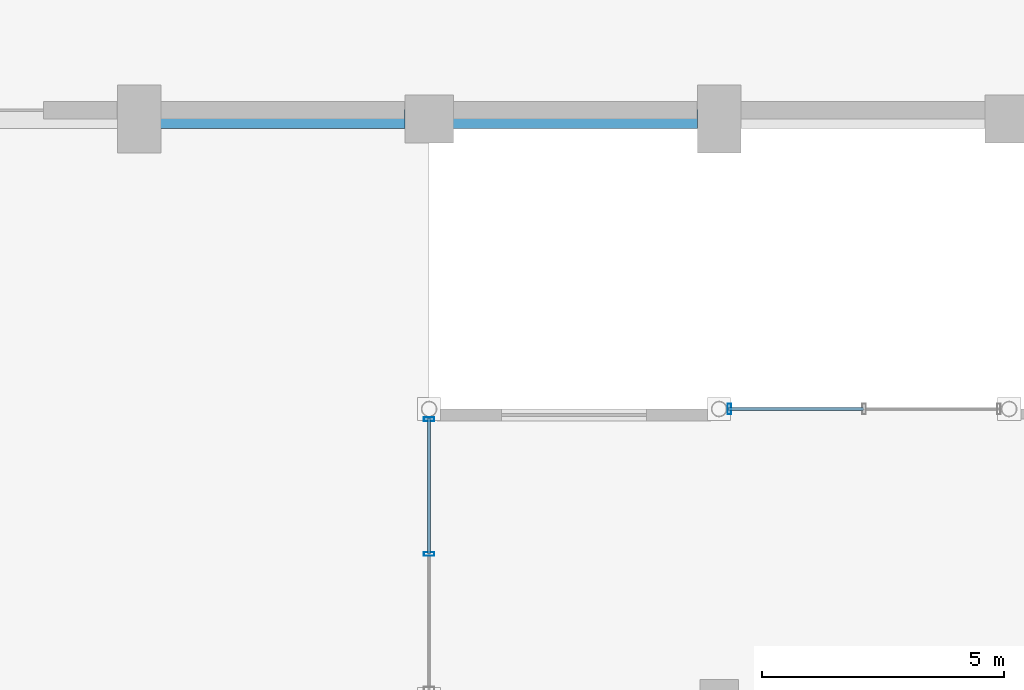
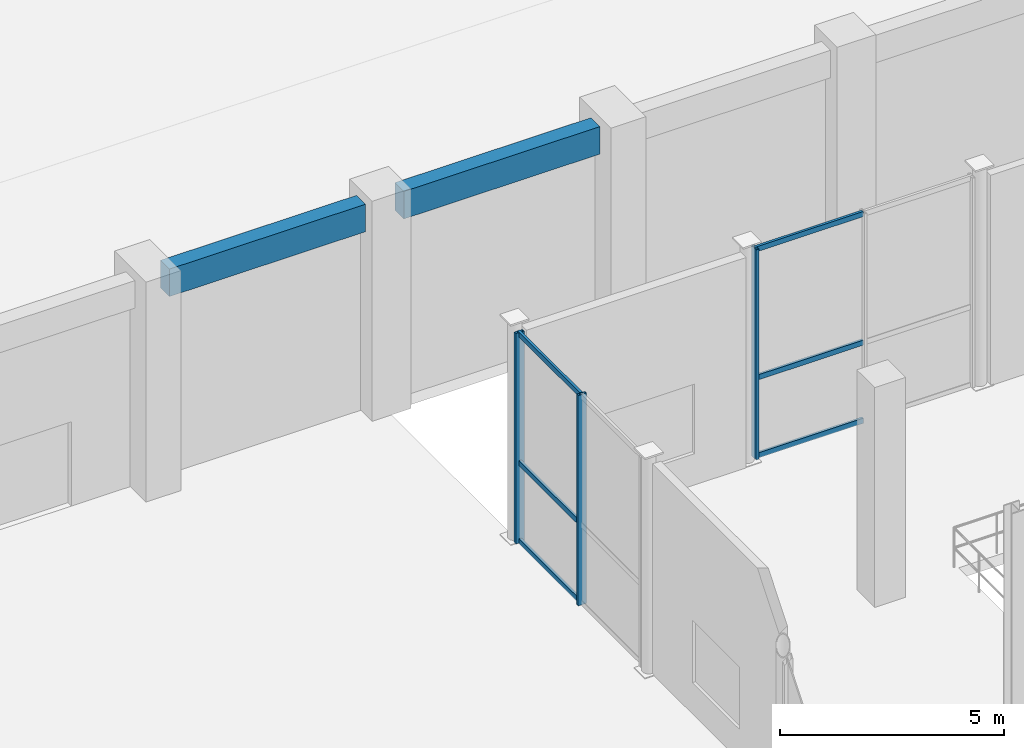
# One storey, part 25 of 106: 9 members, 2 beams, 2 elements without a shape of their own.
"""IFC4 building model written with IfcOpenShell, lengths in metres."""

import ifcopenshell
import ifcopenshell.guid

model = None  # the IFC model being written
_history = None  # IfcOwnerHistory: only IFC2X3 demands one
_inside = {}  # id of a spatial element -> (the spatial element, [elements in it])
_under = {}  # id of a project, library or spatial element -> (it, [spatial elements below it])
_declared = {}  # id of a project -> (the project, [libraries it declares])
_typed = {}  # id of a type object -> (the type object, [elements of that type])
_made_of = {}  # id of a material, layer set ... -> (it, [elements and type objects made of it])


def new_model(schema):
    """Start an empty IFC model of exactly this schema.

    Asked for "IFC4X3", IfcOpenShell would pick the latest addendum, in which some entities
    have other attributes; the version numbers below select the first issue.
    IFC2X3 requires an IfcOwnerHistory on every rooted entity: one is made here for all.
    """
    global model, _history
    if schema == "IFC4X3":
        model = ifcopenshell.file(schema_version=(4, 3, 0, 0))
    else:
        model = ifcopenshell.file(schema=schema)
    _inside.clear()
    _under.clear()
    _declared.clear()
    _typed.clear()
    _made_of.clear()
    _history = None
    if model.schema == "IFC2X3":
        org = make("IfcOrganization", Name="unknown")
        user = make(
            "IfcPersonAndOrganization",
            ThePerson=make("IfcPerson", FamilyName="unknown"),
            TheOrganization=org,
        )
        app = make(
            "IfcApplication",
            ApplicationDeveloper=org,
            Version="unknown",
            ApplicationFullName="unknown",
            ApplicationIdentifier="unknown",
        )
        _history = make(
            "IfcOwnerHistory",
            OwningUser=user,
            OwningApplication=app,
            ChangeAction="ADDED",
            CreationDate=0,
        )
    return model


def make(cls, **values):
    """One entity of the class cls with the attributes given. An attribute that is None is left unset."""
    return model.create_entity(
        cls, **{name: value for name, value in values.items() if value is not None}
    )


def rooted(cls, **values):
    """An entity with a GlobalId (a new one), such as an element, a storey or a relation."""
    return make(cls, GlobalId=ifcopenshell.guid.new(), OwnerHistory=_history, **values)


def si_unit(unit_type, name, prefix=None):
    """IfcSIUnit, for example si_unit("LENGTHUNIT", "METRE", prefix="MILLI")."""
    return make("IfcSIUnit", UnitType=unit_type, Prefix=prefix, Name=name)


def assignment(units):
    """IfcUnitAssignment: the units of a project."""
    return None if units is None else make("IfcUnitAssignment", Units=units)


def point(xyz):
    """IfcCartesianPoint."""
    return None if xyz is None else make("IfcCartesianPoint", Coordinates=xyz)


def direction(xyz):
    """IfcDirection."""
    return None if xyz is None else make("IfcDirection", DirectionRatios=xyz)


def frame(location, z_axis=None, x_axis=None):
    """IfcAxis2Placement3D, a coordinate frame: its origin and axes. An axis left out is left unset."""
    return make(
        "IfcAxis2Placement3D",
        Location=point(location),
        Axis=direction(z_axis),
        RefDirection=direction(x_axis),
    )


def frame_2d(location, x_axis=None):
    """IfcAxis2Placement2D, a coordinate frame in the plane: its origin and x axis."""
    return make(
        "IfcAxis2Placement2D", Location=point(location), RefDirection=direction(x_axis)
    )


def origin():
    """The frame at (0, 0, 0) with its axes left unset."""
    return frame((0.0, 0.0, 0.0))


def origin_2d():
    """The frame at (0, 0) in the plane with its x axis left unset."""
    return frame_2d((0.0, 0.0))


def place(relative_to, where):
    """IfcLocalPlacement: puts the frame where relative to a parent placement (None: the world)."""
    return make(
        "IfcLocalPlacement", PlacementRelTo=relative_to, RelativePlacement=where
    )


def context(
    kind, dimensions, precision=None, world=None, true_north=None, identifier=None
):
    """IfcGeometricRepresentationContext, for example the 3D "Model" context."""
    return make(
        "IfcGeometricRepresentationContext",
        ContextIdentifier=identifier,
        ContextType=kind,
        CoordinateSpaceDimension=dimensions,
        Precision=precision,
        WorldCoordinateSystem=world,
        TrueNorth=true_north,
    )


def subcontext(parent, identifier, kind, view, scale=None):
    """IfcGeometricRepresentationSubContext, for example "Body" below "Model"."""
    return make(
        "IfcGeometricRepresentationSubContext",
        ContextIdentifier=identifier,
        ContextType=kind,
        ParentContext=parent,
        TargetScale=scale,
        TargetView=view,
    )


def project(units=None, contexts=None):
    """IfcProject with its units and contexts."""
    return rooted(
        "IfcProject",
        Name="project",
        RepresentationContexts=contexts,
        UnitsInContext=assignment(units),
    )


def spatial(cls, under=None, at=None, **own):
    """A site, building, storey or space (cls), placed at a placement, below another one or the project."""
    s = rooted(cls, ObjectPlacement=at, **own)
    if under is not None:
        _under.setdefault(under.id(), (under, []))[1].append(s)
    return s


def profile(cls, at=None, kind="AREA", **sizes):
    """A parametric profile (cls). Its sizes go by their IFC names, for example OverallWidth=200.0."""
    return make(cls, ProfileType=kind, Position=at, **sizes)


def rectangle(**sizes):
    """IfcRectangleProfileDef."""
    return profile("IfcRectangleProfileDef", **sizes)


def hollow_rectangle(**sizes):
    """IfcRectangleHollowProfileDef."""
    return profile("IfcRectangleHollowProfileDef", **sizes)


def extrude(swept, where, along, depth):
    """IfcExtrudedAreaSolid: the profile swept, set in the frame where, extruded along a direction by depth."""
    return make(
        "IfcExtrudedAreaSolid",
        SweptArea=swept,
        Position=where,
        ExtrudedDirection=direction(along),
        Depth=depth,
    )


def shape(context_of_items, identifier, shape_type, items):
    """IfcShapeRepresentation: the items that make up one representation, for example the "Body"."""
    return make(
        "IfcShapeRepresentation",
        ContextOfItems=context_of_items,
        RepresentationIdentifier=identifier,
        RepresentationType=shape_type,
        Items=items,
    )


def material(Name=None, Category=None):
    """IfcMaterial."""
    return make("IfcMaterial", Name=Name, Category=Category)


def material_profile(
    of_material, cross_section, Name=None, Category=None, Priority=None
):
    """IfcMaterialProfile: a cross section and its material."""
    return make(
        "IfcMaterialProfile",
        Name=Name,
        Material=of_material,
        Profile=cross_section,
        Priority=Priority,
        Category=Category,
    )


def profile_set(profiles, Name=None, composite=None):
    """IfcMaterialProfileSet."""
    return make(
        "IfcMaterialProfileSet",
        Name=Name,
        MaterialProfiles=profiles,
        CompositeProfile=composite,
    )


def made_of(thing, what):
    """Note that an element or type object is made of a material, layer set ...; save() writes the relation."""
    if what is not None:
        _made_of.setdefault(what.id(), (what, []))[1].append(thing)
    return thing


def type_object(cls, material=None, **own):
    """A type object (cls), such as IfcWallType, which elements share."""
    return made_of(rooted(cls, **own), material)


def element(
    cls,
    number,
    at=None,
    inside=None,
    cuts=None,
    type_object=None,
    material=None,
    context=None,
    identifier="Body",
    shape_type=None,
    held_by="IfcProductDefinitionShape",
    body=None,
    shapes=None,
    **own,
):
    """One element of the class cls, such as IfcWall. Its Tag is "e" and its number.

    at: its placement. inside: the storey or other place that contains it. cuts: it is an
    opening in that element (IfcRelVoidsElement). A single representation is given by context,
    identifier, shape_type and body (its items); several are given by shapes. held_by: the class
    of the entity that holds the representations. save() writes the other relations.
    """
    e = rooted(cls, Tag="e%d" % number, ObjectPlacement=at, **own)
    if body is not None:
        shapes = [shape(context, identifier, shape_type, body)]
    if shapes is not None:
        e.Representation = make(held_by, Representations=shapes)
    if inside is not None:
        _inside.setdefault(inside.id(), (inside, []))[1].append(e)
    if cuts is not None:
        rooted(
            "IfcRelVoidsElement", RelatingBuildingElement=cuts, RelatedOpeningElement=e
        )
    if type_object is not None:
        _typed.setdefault(type_object.id(), (type_object, []))[1].append(e)
    return made_of(e, material)


def aggregate(whole, parts):
    """IfcRelAggregates: a whole, such as a stair, and the parts it consists of."""
    return rooted("IfcRelAggregates", RelatingObject=whole, RelatedObjects=parts)


def save(model, path):
    """Write the relations noted so far, then the file.

    IfcRelAggregates (storeys below a building ...), IfcRelContainedInSpatialStructure (elements
    in a storey), IfcRelDefinesByType, IfcRelAssociatesMaterial and IfcRelDeclares: one each for
    every whole, place, type object, material and project.
    """
    for whole, parts in _under.values():
        aggregate(whole, parts)
    for where, things in _inside.values():
        rooted(
            "IfcRelContainedInSpatialStructure",
            RelatedElements=things,
            RelatingStructure=where,
        )
    for kind, things in _typed.values():
        rooted("IfcRelDefinesByType", RelatedObjects=things, RelatingType=kind)
    for what, things in _made_of.values():
        rooted("IfcRelAssociatesMaterial", RelatedObjects=things, RelatingMaterial=what)
    for by, libraries in _declared.values():
        rooted("IfcRelDeclares", RelatingContext=by, RelatedDefinitions=libraries)
    model.write(path)


model = new_model("IFC4")

# Units and contexts
model_context = context("Model", 3, precision=1e-05, world=origin(), true_north=direction((0.0, 1.0)))
body_context = subcontext(model_context, "Body", "Model", "MODEL_VIEW")
ifc_project = project(units=[si_unit("LENGTHUNIT", "METRE"), si_unit("AREAUNIT", "SQUARE_METRE"), si_unit("VOLUMEUNIT", "CUBIC_METRE"), si_unit("PLANEANGLEUNIT", "RADIAN"), si_unit("MASSUNIT", "GRAM", prefix="KILO"), si_unit("THERMODYNAMICTEMPERATUREUNIT", "KELVIN"), si_unit("POWERUNIT", "WATT")], contexts=[model_context])

# Site, building, storey
site_placement = place(None, origin())
site = spatial("IfcSite", under=ifc_project, at=site_placement, CompositionType="ELEMENT")
building_placement = place(site_placement, origin())
building = spatial("IfcBuilding", under=site, at=building_placement, Name="Phaisarnlok Congress Hotel", CompositionType="ELEMENT")
storey_placement = place(building_placement, origin())
storey = spatial("IfcBuildingStorey", under=building, at=storey_placement, Name="L00", CompositionType="ELEMENT", Elevation=0.0)

# Curtain wall, member
ifc_material_1 = material(Name="Thermally Broken Unitised Aluminium & Low-E Glazing", Category="aluminium")
curtain_wall_type = type_object("IfcCurtainWallType", Name="CW-UNIT-07", PredefinedType="NOTDEFINED", material=ifc_material_1)
curtain_wall_1_placement = place(storey_placement, origin())
curtain_wall_1 = element("IfcCurtainWall", 1, at=curtain_wall_1_placement, inside=storey, type_object=curtain_wall_type, Name="Unitised curtain wall CW-07 (L00)", PredefinedType="NOTDEFINED")
ifc_material_2 = material(Name="Anodised Aluminium Alloy 6063-T6", Category="aluminium")
ifc_material_profile_1 = material_profile(ifc_material_2, hollow_rectangle(XDim=0.074951171875, YDim=0.219970703125, WallThickness=0.0048828125, at=origin_2d()), Name="ALU-M 75x220x5")
ifc_profile_set_1 = profile_set([ifc_material_profile_1], Name="Anodised Aluminium Alloy 6063-T6")
member_type_1 = type_object("IfcMemberType", Name="CWM-220", PredefinedType="MULLION", material=ifc_profile_set_1)
member_1_placement = place(storey_placement, frame((30.2119140625, 36.0, 0.0), z_axis=(0.0, 0.0, 1.0), x_axis=(-1.0, 0.0, 0.0)))
member_1 = element("IfcMember", 2, at=member_1_placement, type_object=member_type_1, Name="Curtain wall mullion CWM-02", PredefinedType="MULLION", context=body_context, shape_type="SweptSolid", body=[
    extrude(hollow_rectangle(XDim=0.074951171875, YDim=0.219970703125, WallThickness=0.0048828125, at=origin_2d()), origin(), (0.0, 0.0, 1.0), 5.739990234375),
])

# Curtain wall, members
curtain_wall_2_placement = place(storey_placement, origin())
curtain_wall_2 = element("IfcCurtainWall", 3, at=curtain_wall_2_placement, inside=storey, type_object=curtain_wall_type, Name="Unitised curtain wall CW-07 (L00)", PredefinedType="NOTDEFINED")
member_2_placement = place(storey_placement, frame((24.0, 35.7880859375, 0.0), z_axis=(0.0, 0.0, 1.0), x_axis=(0.0, -1.0, 0.0)))
member_2 = element("IfcMember", 4, at=member_2_placement, type_object=member_type_1, Name="Curtain wall mullion CWM-02", PredefinedType="MULLION", context=body_context, shape_type="SweptSolid", body=[
    extrude(hollow_rectangle(XDim=0.074951171875, YDim=0.219970703125, WallThickness=0.0048828125, at=origin_2d()), origin(), (0.0, 0.0, 1.0), 5.739990234375),
])
member_3_placement = place(storey_placement, frame((24.0, 33.0, 0.0), z_axis=(0.0, 0.0, 1.0), x_axis=(0.0, -1.0, 0.0)))
member_3 = element("IfcMember", 5, at=member_3_placement, type_object=member_type_1, Name="Curtain wall mullion CWM-02", PredefinedType="MULLION", context=body_context, shape_type="SweptSolid", body=[
    extrude(hollow_rectangle(XDim=0.074951171875, YDim=0.219970703125, WallThickness=0.0048828125, at=origin_2d()), origin(), (0.0, 0.0, 1.0), 5.739990234375),
])

# Member
ifc_material_profile_2 = material_profile(ifc_material_2, hollow_rectangle(XDim=0.06494140625, YDim=0.139892578125, WallThickness=0.00390625, at=origin_2d()), Name="ALU-T 65x140x4")
ifc_profile_set_2 = profile_set([ifc_material_profile_2], Name="Anodised Aluminium Alloy 6063-T6")
member_type_2 = type_object("IfcMemberType", Name="CWT-150", PredefinedType="USERDEFINED", material=ifc_profile_set_2)
member_4_placement = place(storey_placement, frame((32.985107421875, 36.0, 0.050048828125), z_axis=(-1.0, 0.0, 0.0), x_axis=(0.0, -1.0, 0.0)))
member_4 = element("IfcMember", 6, at=member_4_placement, type_object=member_type_2, Name="Curtain wall transom CWT-01", ObjectType="TRANSOM", PredefinedType="USERDEFINED", context=body_context, shape_type="SweptSolid", body=[
    extrude(hollow_rectangle(XDim=0.06494140625, YDim=0.139892578125, WallThickness=0.00390625, at=origin_2d()), origin(), (0.0, 0.0, 1.0), 2.798095703125),
])

member_5_placement = place(storey_placement, frame((32.985107421875, 36.0, 2.18115234375), z_axis=(-1.0, 0.0, 0.0), x_axis=(0.0, -1.0, 0.0)))
member_5 = element("IfcMember", 7, at=member_5_placement, type_object=member_type_2, Name="Curtain wall transom CWT-01", ObjectType="TRANSOM", PredefinedType="USERDEFINED", context=body_context, shape_type="SweptSolid", body=[
    extrude(hollow_rectangle(XDim=0.06494140625, YDim=0.139892578125, WallThickness=0.00390625, at=origin_2d()), origin(), (0.0, 0.0, 1.0), 2.798095703125),
])

member_6_placement = place(storey_placement, frame((32.985107421875, 36.0, 5.68994140625), z_axis=(-1.0, 0.0, 0.0), x_axis=(0.0, -1.0, 0.0)))
member_6 = element("IfcMember", 8, at=member_6_placement, type_object=member_type_2, Name="Curtain wall transom CWT-01", ObjectType="TRANSOM", PredefinedType="USERDEFINED", context=body_context, shape_type="SweptSolid", body=[
    extrude(hollow_rectangle(XDim=0.06494140625, YDim=0.139892578125, WallThickness=0.00390625, at=origin_2d()), origin(), (0.0, 0.0, 1.0), 2.798095703125),
])

aggregate(curtain_wall_1, [member_1, member_4, member_5, member_6])

member_7_placement = place(storey_placement, frame((24.0, 35.81298828125, 0.050048828125), z_axis=(0.0, -1.0, 0.0), x_axis=(1.0, 0.0, 0.0)))
member_7 = element("IfcMember", 9, at=member_7_placement, type_object=member_type_2, Name="Curtain wall transom CWT-01", ObjectType="TRANSOM", PredefinedType="USERDEFINED", context=body_context, shape_type="SweptSolid", body=[
    extrude(hollow_rectangle(XDim=0.06494140625, YDim=0.139892578125, WallThickness=0.00390625, at=origin_2d()), origin(), (0.0, 0.0, 1.0), 2.798095703125),
])

member_8_placement = place(storey_placement, frame((24.0, 35.81298828125, 2.18115234375), z_axis=(0.0, -1.0, 0.0), x_axis=(1.0, 0.0, 0.0)))
member_8 = element("IfcMember", 10, at=member_8_placement, type_object=member_type_2, Name="Curtain wall transom CWT-01", ObjectType="TRANSOM", PredefinedType="USERDEFINED", context=body_context, shape_type="SweptSolid", body=[
    extrude(hollow_rectangle(XDim=0.06494140625, YDim=0.139892578125, WallThickness=0.00390625, at=origin_2d()), origin(), (0.0, 0.0, 1.0), 2.798095703125),
])

member_9_placement = place(storey_placement, frame((24.0, 35.81298828125, 5.68994140625), z_axis=(0.0, -1.0, 0.0), x_axis=(1.0, 0.0, 0.0)))
member_9 = element("IfcMember", 11, at=member_9_placement, type_object=member_type_2, Name="Curtain wall transom CWT-01", ObjectType="TRANSOM", PredefinedType="USERDEFINED", context=body_context, shape_type="SweptSolid", body=[
    extrude(hollow_rectangle(XDim=0.06494140625, YDim=0.139892578125, WallThickness=0.00390625, at=origin_2d()), origin(), (0.0, 0.0, 1.0), 2.798095703125),
])

aggregate(curtain_wall_2, [member_2, member_3, member_7, member_8, member_9])

# Beams
ifc_material_3 = material(Name="Concrete C40/50", Category="concrete")
ifc_material_profile_3 = material_profile(ifc_material_3, rectangle(XDim=0.39990234375, YDim=0.75, at=origin_2d()), Name="RC 400x750")
ifc_profile_set_3 = profile_set([ifc_material_profile_3], Name="Concrete C40/50")
beam_type = type_object("IfcBeamType", Name="SP-RC-400x750", PredefinedType="SPANDREL", material=ifc_profile_set_3)
for number, where, z_axis, x_axis, name in (
    (12, (18.445068359375, 42.0, 5.364990234375), (1.0, 0.0, 0.0), (0.0, 1.0, 0.0), "Beam SP-02"),
    (13, (24.4951171875, 42.0, 5.364990234375), (1.0, 0.0, 0.0), (0.0, 1.0, 0.0), "Beam SP-02"),
):
    element("IfcBeam", number, at=place(storey_placement, frame(where, z_axis=z_axis, x_axis=x_axis)), inside=storey, type_object=beam_type, Name=name, PredefinedType="SPANDREL", context=body_context, shape_type="SweptSolid", body=[
        extrude(rectangle(XDim=0.39990234375, YDim=0.75, at=origin_2d()), origin(), (0.0, 0.0, 1.0), 5.059814453125),
    ])

save(model, "model.ifc")
